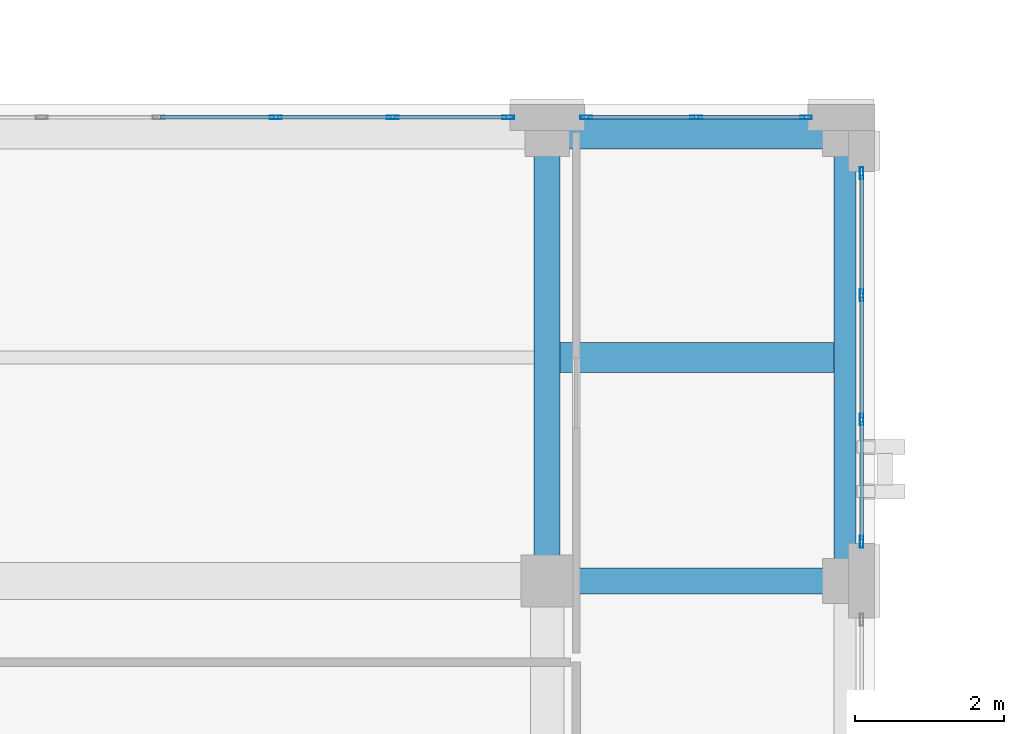
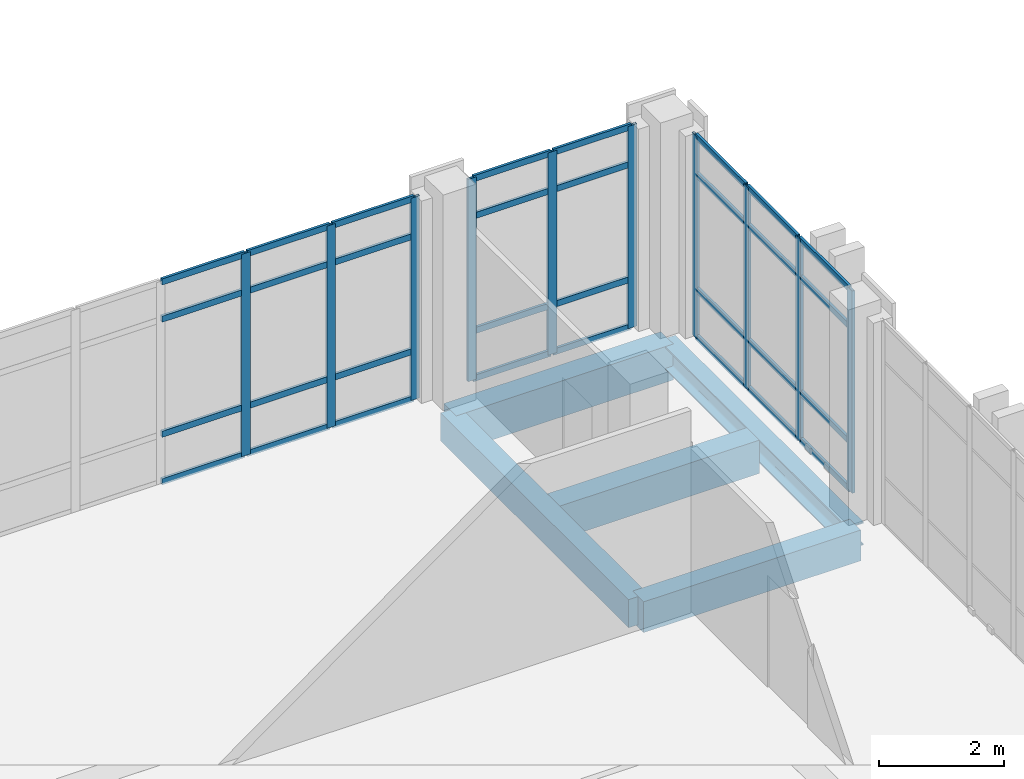
# One storey, part 18 of 48: 42 members, 5 beams, 3 elements without a shape of their own.
"""IFC4 building model written with IfcOpenShell, lengths in metres."""

from ifc_helpers import new_model, si_unit, direction, frame, origin, origin_2d, place, context, subcontext, project, spatial, rectangle, hollow_rectangle, i_section, extrude, material, layer, layer_set, material_profile, profile_set, type_object, element, aggregate, save


model = new_model("IFC4")

# Units and contexts
model_context = context("Model", 3, precision=1e-05, world=origin(), true_north=direction((0.0, 1.0)))
body_context = subcontext(model_context, "Body", "Model", "MODEL_VIEW")
ifc_project = project(units=[si_unit("LENGTHUNIT", "METRE"), si_unit("AREAUNIT", "SQUARE_METRE"), si_unit("VOLUMEUNIT", "CUBIC_METRE"), si_unit("PLANEANGLEUNIT", "RADIAN"), si_unit("MASSUNIT", "GRAM", prefix="KILO")], contexts=[model_context])

# Site, building, storey
site_placement = place(None, origin())
site = spatial("IfcSite", under=ifc_project, at=site_placement, CompositionType="ELEMENT")
building_placement = place(site_placement, origin())
building = spatial("IfcBuilding", under=site, at=building_placement, Name="Qalavern Law Courts", CompositionType="ELEMENT")
storey_placement = place(building_placement, frame((0.0, 0.0, 31.199951171875)))
storey = spatial("IfcBuildingStorey", under=building, at=storey_placement, Name="L07", CompositionType="ELEMENT", Elevation=31.199951171875)

# Curtain wall, members
ifc_material_1 = material(Name="Anodised aluminium and insulated glazing", Category="aluminium")
ifc_layer = layer(ifc_material_1, 0.159912109375)
ifc_layer_set = layer_set([ifc_layer], Name="Anodised aluminium and insulated glazing")
curtain_wall_type = type_object("IfcCurtainWallType", Name="ENV-CW-CHAMB", PredefinedType="USERDEFINED", material=ifc_layer_set)
curtain_wall_1_placement = place(storey_placement, origin())
curtain_wall_1 = element("IfcCurtainWall", 1, at=curtain_wall_1_placement, inside=storey, type_object=curtain_wall_type, Name="V3 unitised curtain wall L07 east 5", ObjectType="UNITISED CURTAIN WALL", PredefinedType="USERDEFINED")
ifc_material_2 = material(Name="Anodised aluminium", Category="aluminium")
ifc_material_profile_1 = material_profile(ifc_material_2, hollow_rectangle(XDim=0.048095703125, YDim=0.159912109375, WallThickness=0.00390625, at=origin_2d()), Name="ALU MULLION 48x160")
ifc_profile_set_1 = profile_set([ifc_material_profile_1], Name="Anodised aluminium")
member_type_1 = type_object("IfcMemberType", Name="ENV-CWM-48x160", PredefinedType="MULLION", material=ifc_profile_set_1)
member_1_placement = place(storey_placement, frame((18.62255859375, 73.924072265625, 0.0), z_axis=(0.0, 0.0, 1.0), x_axis=(-1.0, 0.0, 0.0)))
member_1 = element("IfcMember", 2, at=member_1_placement, type_object=member_type_1, Name="CW-04 mullion 1", PredefinedType="MULLION", context=body_context, shape_type="SweptSolid", body=[
    extrude(hollow_rectangle(XDim=0.048095703125, YDim=0.159912109375, WallThickness=0.00390625, at=origin_2d()), origin(), (0.0, 0.0, 1.0), 3.93994140625),
])
member_2_placement = place(storey_placement, frame((18.62255859375, 75.566650390625, 0.0), z_axis=(0.0, 0.0, 1.0), x_axis=(-1.0, 0.0, 0.0)))
member_2 = element("IfcMember", 3, at=member_2_placement, type_object=member_type_1, Name="CW-04 mullion 2", PredefinedType="MULLION", context=body_context, shape_type="SweptSolid", body=[
    extrude(hollow_rectangle(XDim=0.048095703125, YDim=0.159912109375, WallThickness=0.00390625, at=origin_2d()), origin(), (0.0, 0.0, 1.0), 3.93994140625),
])
member_3_placement = place(storey_placement, frame((18.62255859375, 77.2333984375, 0.0), z_axis=(0.0, 0.0, 1.0), x_axis=(-1.0, 0.0, 0.0)))
member_3 = element("IfcMember", 4, at=member_3_placement, type_object=member_type_1, Name="CW-04 mullion 3", PredefinedType="MULLION", context=body_context, shape_type="SweptSolid", body=[
    extrude(hollow_rectangle(XDim=0.048095703125, YDim=0.159912109375, WallThickness=0.00390625, at=origin_2d()), origin(), (0.0, 0.0, 1.0), 3.93994140625),
])
member_4_placement = place(storey_placement, frame((18.62255859375, 78.8759765625, 0.0), z_axis=(0.0, 0.0, 1.0), x_axis=(-1.0, 0.0, 0.0)))
member_4 = element("IfcMember", 5, at=member_4_placement, type_object=member_type_1, Name="CW-04 mullion 4", PredefinedType="MULLION", context=body_context, shape_type="SweptSolid", body=[
    extrude(hollow_rectangle(XDim=0.048095703125, YDim=0.159912109375, WallThickness=0.00390625, at=origin_2d()), origin(), (0.0, 0.0, 1.0), 3.93994140625),
])

curtain_wall_2_placement = place(storey_placement, origin())
curtain_wall_2 = element("IfcCurtainWall", 6, at=curtain_wall_2_placement, inside=storey, type_object=curtain_wall_type, Name="V3 unitised curtain wall L07 north 1", ObjectType="UNITISED CURTAIN WALL", PredefinedType="USERDEFINED")
member_5_placement = place(storey_placement, frame((17.8759765625, 79.62255859375, 0.0), z_axis=(0.0, 0.0, 1.0), x_axis=(0.0, -1.0, 0.0)))
member_5 = element("IfcMember", 7, at=member_5_placement, type_object=member_type_1, Name="CW-04 mullion 1", PredefinedType="MULLION", context=body_context, shape_type="SweptSolid", body=[
    extrude(hollow_rectangle(XDim=0.048095703125, YDim=0.159912109375, WallThickness=0.00390625, at=origin_2d()), origin(), (0.0, 0.0, 1.0), 3.93994140625),
])
member_6_placement = place(storey_placement, frame((16.39990234375, 79.62255859375, 0.0), z_axis=(0.0, 0.0, 1.0), x_axis=(0.0, -1.0, 0.0)))
member_6 = element("IfcMember", 8, at=member_6_placement, type_object=member_type_1, Name="CW-04 mullion 2", PredefinedType="MULLION", context=body_context, shape_type="SweptSolid", body=[
    extrude(hollow_rectangle(XDim=0.048095703125, YDim=0.159912109375, WallThickness=0.00390625, at=origin_2d()), origin(), (0.0, 0.0, 1.0), 3.93994140625),
])
member_7_placement = place(storey_placement, frame((14.924072265625, 79.62255859375, 0.0), z_axis=(0.0, 0.0, 1.0), x_axis=(0.0, -1.0, 0.0)))
member_7 = element("IfcMember", 9, at=member_7_placement, type_object=member_type_1, Name="CW-04 mullion 3", PredefinedType="MULLION", context=body_context, shape_type="SweptSolid", body=[
    extrude(hollow_rectangle(XDim=0.048095703125, YDim=0.159912109375, WallThickness=0.00390625, at=origin_2d()), origin(), (0.0, 0.0, 1.0), 3.93994140625),
])

curtain_wall_3_placement = place(storey_placement, origin())
curtain_wall_3 = element("IfcCurtainWall", 10, at=curtain_wall_3_placement, inside=storey, type_object=curtain_wall_type, Name="V3 unitised curtain wall L07 north 2", ObjectType="UNITISED CURTAIN WALL", PredefinedType="USERDEFINED")
member_8_placement = place(storey_placement, frame((13.8759765625, 79.62255859375, 0.0), z_axis=(0.0, 0.0, 1.0), x_axis=(0.0, -1.0, 0.0)))
member_8 = element("IfcMember", 11, at=member_8_placement, type_object=member_type_1, Name="CW-04 mullion 1", PredefinedType="MULLION", context=body_context, shape_type="SweptSolid", body=[
    extrude(hollow_rectangle(XDim=0.048095703125, YDim=0.159912109375, WallThickness=0.00390625, at=origin_2d()), origin(), (0.0, 0.0, 1.0), 3.93994140625),
])
member_9_placement = place(storey_placement, frame((12.32861328125, 79.62255859375, 0.0), z_axis=(0.0, 0.0, 1.0), x_axis=(0.0, -1.0, 0.0)))
member_9 = element("IfcMember", 12, at=member_9_placement, type_object=member_type_1, Name="CW-04 mullion 2", PredefinedType="MULLION", context=body_context, shape_type="SweptSolid", body=[
    extrude(hollow_rectangle(XDim=0.048095703125, YDim=0.159912109375, WallThickness=0.00390625, at=origin_2d()), origin(), (0.0, 0.0, 1.0), 3.93994140625),
])
member_10_placement = place(storey_placement, frame((10.757080078125, 79.62255859375, 0.0), z_axis=(0.0, 0.0, 1.0), x_axis=(0.0, -1.0, 0.0)))
member_10 = element("IfcMember", 13, at=member_10_placement, type_object=member_type_1, Name="CW-04 mullion 3", PredefinedType="MULLION", context=body_context, shape_type="SweptSolid", body=[
    extrude(hollow_rectangle(XDim=0.048095703125, YDim=0.159912109375, WallThickness=0.00390625, at=origin_2d()), origin(), (0.0, 0.0, 1.0), 3.93994140625),
])

# Member
ifc_material_profile_2 = material_profile(ifc_material_2, hollow_rectangle(XDim=0.048095703125, YDim=0.1201171875, WallThickness=0.00390625, at=origin_2d()), Name="ALU TRANSOM 48x120")
ifc_profile_set_2 = profile_set([ifc_material_profile_2], Name="Anodised aluminium")
member_type_2 = type_object("IfcMemberType", Name="ENV-CWT-48x120", PredefinedType="USERDEFINED", material=ifc_profile_set_2)
member_11_placement = place(storey_placement, frame((18.62255859375, 73.947998046875, 0.024169921875), z_axis=(0.0, 1.0, 0.0), x_axis=(-1.0, 0.0, 0.0)))
member_11 = element("IfcMember", 14, at=member_11_placement, type_object=member_type_2, Name="CW-04 transom 1.1", ObjectType="TRANSOM", PredefinedType="USERDEFINED", context=body_context, shape_type="SweptSolid", body=[
    extrude(hollow_rectangle(XDim=0.048095703125, YDim=0.1201171875, WallThickness=0.00390625, at=origin_2d()), origin(), (0.0, 0.0, 1.0), 1.5947265625),
])

member_12_placement = place(storey_placement, frame((18.62255859375, 73.947998046875, 0.949951171875), z_axis=(0.0, 1.0, 0.0), x_axis=(-1.0, 0.0, 0.0)))
member_12 = element("IfcMember", 15, at=member_12_placement, type_object=member_type_2, Name="CW-04 transom 1.2", ObjectType="TRANSOM", PredefinedType="USERDEFINED", context=body_context, shape_type="SweptSolid", body=[
    extrude(hollow_rectangle(XDim=0.048095703125, YDim=0.1201171875, WallThickness=0.00390625, at=origin_2d()), origin(), (0.0, 0.0, 1.0), 1.5947265625),
])

member_13_placement = place(storey_placement, frame((18.62255859375, 73.947998046875, 3.18994140625), z_axis=(0.0, 1.0, 0.0), x_axis=(-1.0, 0.0, 0.0)))
member_13 = element("IfcMember", 16, at=member_13_placement, type_object=member_type_2, Name="CW-04 transom 1.3", ObjectType="TRANSOM", PredefinedType="USERDEFINED", context=body_context, shape_type="SweptSolid", body=[
    extrude(hollow_rectangle(XDim=0.048095703125, YDim=0.1201171875, WallThickness=0.00390625, at=origin_2d()), origin(), (0.0, 0.0, 1.0), 1.5947265625),
])

member_14_placement = place(storey_placement, frame((18.62255859375, 73.947998046875, 3.916015625), z_axis=(0.0, 1.0, 0.0), x_axis=(-1.0, 0.0, 0.0)))
member_14 = element("IfcMember", 17, at=member_14_placement, type_object=member_type_2, Name="CW-04 transom 1.4", ObjectType="TRANSOM", PredefinedType="USERDEFINED", context=body_context, shape_type="SweptSolid", body=[
    extrude(hollow_rectangle(XDim=0.048095703125, YDim=0.1201171875, WallThickness=0.00390625, at=origin_2d()), origin(), (0.0, 0.0, 1.0), 1.5947265625),
])

member_15_placement = place(storey_placement, frame((18.62255859375, 75.590576171875, 0.024169921875), z_axis=(0.0, 1.0, 0.0), x_axis=(-1.0, 0.0, 0.0)))
member_15 = element("IfcMember", 18, at=member_15_placement, type_object=member_type_2, Name="CW-04 transom 2.1", ObjectType="TRANSOM", PredefinedType="USERDEFINED", context=body_context, shape_type="SweptSolid", body=[
    extrude(hollow_rectangle(XDim=0.048095703125, YDim=0.1201171875, WallThickness=0.00390625, at=origin_2d()), origin(), (0.0, 0.0, 1.0), 1.61865234375),
])

member_16_placement = place(storey_placement, frame((18.62255859375, 75.590576171875, 0.949951171875), z_axis=(0.0, 1.0, 0.0), x_axis=(-1.0, 0.0, 0.0)))
member_16 = element("IfcMember", 19, at=member_16_placement, type_object=member_type_2, Name="CW-04 transom 2.2", ObjectType="TRANSOM", PredefinedType="USERDEFINED", context=body_context, shape_type="SweptSolid", body=[
    extrude(hollow_rectangle(XDim=0.048095703125, YDim=0.1201171875, WallThickness=0.00390625, at=origin_2d()), origin(), (0.0, 0.0, 1.0), 1.61865234375),
])

member_17_placement = place(storey_placement, frame((18.62255859375, 75.590576171875, 3.18994140625), z_axis=(0.0, 1.0, 0.0), x_axis=(-1.0, 0.0, 0.0)))
member_17 = element("IfcMember", 20, at=member_17_placement, type_object=member_type_2, Name="CW-04 transom 2.3", ObjectType="TRANSOM", PredefinedType="USERDEFINED", context=body_context, shape_type="SweptSolid", body=[
    extrude(hollow_rectangle(XDim=0.048095703125, YDim=0.1201171875, WallThickness=0.00390625, at=origin_2d()), origin(), (0.0, 0.0, 1.0), 1.61865234375),
])

member_18_placement = place(storey_placement, frame((18.62255859375, 75.590576171875, 3.916015625), z_axis=(0.0, 1.0, 0.0), x_axis=(-1.0, 0.0, 0.0)))
member_18 = element("IfcMember", 21, at=member_18_placement, type_object=member_type_2, Name="CW-04 transom 2.4", ObjectType="TRANSOM", PredefinedType="USERDEFINED", context=body_context, shape_type="SweptSolid", body=[
    extrude(hollow_rectangle(XDim=0.048095703125, YDim=0.1201171875, WallThickness=0.00390625, at=origin_2d()), origin(), (0.0, 0.0, 1.0), 1.61865234375),
])

member_19_placement = place(storey_placement, frame((18.62255859375, 77.25732421875, 0.024169921875), z_axis=(0.0, 1.0, 0.0), x_axis=(-1.0, 0.0, 0.0)))
member_19 = element("IfcMember", 22, at=member_19_placement, type_object=member_type_2, Name="CW-04 transom 3.1", ObjectType="TRANSOM", PredefinedType="USERDEFINED", context=body_context, shape_type="SweptSolid", body=[
    extrude(hollow_rectangle(XDim=0.048095703125, YDim=0.1201171875, WallThickness=0.00390625, at=origin_2d()), origin(), (0.0, 0.0, 1.0), 1.5947265625),
])

member_20_placement = place(storey_placement, frame((18.62255859375, 77.25732421875, 0.949951171875), z_axis=(0.0, 1.0, 0.0), x_axis=(-1.0, 0.0, 0.0)))
member_20 = element("IfcMember", 23, at=member_20_placement, type_object=member_type_2, Name="CW-04 transom 3.2", ObjectType="TRANSOM", PredefinedType="USERDEFINED", context=body_context, shape_type="SweptSolid", body=[
    extrude(hollow_rectangle(XDim=0.048095703125, YDim=0.1201171875, WallThickness=0.00390625, at=origin_2d()), origin(), (0.0, 0.0, 1.0), 1.5947265625),
])

member_21_placement = place(storey_placement, frame((18.62255859375, 77.25732421875, 3.18994140625), z_axis=(0.0, 1.0, 0.0), x_axis=(-1.0, 0.0, 0.0)))
member_21 = element("IfcMember", 24, at=member_21_placement, type_object=member_type_2, Name="CW-04 transom 3.3", ObjectType="TRANSOM", PredefinedType="USERDEFINED", context=body_context, shape_type="SweptSolid", body=[
    extrude(hollow_rectangle(XDim=0.048095703125, YDim=0.1201171875, WallThickness=0.00390625, at=origin_2d()), origin(), (0.0, 0.0, 1.0), 1.5947265625),
])

member_22_placement = place(storey_placement, frame((18.62255859375, 77.25732421875, 3.916015625), z_axis=(0.0, 1.0, 0.0), x_axis=(-1.0, 0.0, 0.0)))
member_22 = element("IfcMember", 25, at=member_22_placement, type_object=member_type_2, Name="CW-04 transom 3.4", ObjectType="TRANSOM", PredefinedType="USERDEFINED", context=body_context, shape_type="SweptSolid", body=[
    extrude(hollow_rectangle(XDim=0.048095703125, YDim=0.1201171875, WallThickness=0.00390625, at=origin_2d()), origin(), (0.0, 0.0, 1.0), 1.5947265625),
])

aggregate(curtain_wall_1, [member_1, member_2, member_3, member_4, member_11, member_12, member_13, member_14, member_15, member_16, member_17, member_18, member_19, member_20, member_21, member_22])

member_23_placement = place(storey_placement, frame((17.85205078125, 79.62255859375, 0.024169921875), z_axis=(-1.0, 0.0, 0.0), x_axis=(0.0, -1.0, 0.0)))
member_23 = element("IfcMember", 26, at=member_23_placement, type_object=member_type_2, Name="CW-04 transom 1.1", ObjectType="TRANSOM", PredefinedType="USERDEFINED", context=body_context, shape_type="SweptSolid", body=[
    extrude(hollow_rectangle(XDim=0.048095703125, YDim=0.1201171875, WallThickness=0.00390625, at=origin_2d()), origin(), (0.0, 0.0, 1.0), 1.427978515625),
])

member_24_placement = place(storey_placement, frame((17.85205078125, 79.62255859375, 0.949951171875), z_axis=(-1.0, 0.0, 0.0), x_axis=(0.0, -1.0, 0.0)))
member_24 = element("IfcMember", 27, at=member_24_placement, type_object=member_type_2, Name="CW-04 transom 1.2", ObjectType="TRANSOM", PredefinedType="USERDEFINED", context=body_context, shape_type="SweptSolid", body=[
    extrude(hollow_rectangle(XDim=0.048095703125, YDim=0.1201171875, WallThickness=0.00390625, at=origin_2d()), origin(), (0.0, 0.0, 1.0), 1.427978515625),
])

member_25_placement = place(storey_placement, frame((17.85205078125, 79.62255859375, 3.18994140625), z_axis=(-1.0, 0.0, 0.0), x_axis=(0.0, -1.0, 0.0)))
member_25 = element("IfcMember", 28, at=member_25_placement, type_object=member_type_2, Name="CW-04 transom 1.3", ObjectType="TRANSOM", PredefinedType="USERDEFINED", context=body_context, shape_type="SweptSolid", body=[
    extrude(hollow_rectangle(XDim=0.048095703125, YDim=0.1201171875, WallThickness=0.00390625, at=origin_2d()), origin(), (0.0, 0.0, 1.0), 1.427978515625),
])

member_26_placement = place(storey_placement, frame((17.85205078125, 79.62255859375, 3.916015625), z_axis=(-1.0, 0.0, 0.0), x_axis=(0.0, -1.0, 0.0)))
member_26 = element("IfcMember", 29, at=member_26_placement, type_object=member_type_2, Name="CW-04 transom 1.4", ObjectType="TRANSOM", PredefinedType="USERDEFINED", context=body_context, shape_type="SweptSolid", body=[
    extrude(hollow_rectangle(XDim=0.048095703125, YDim=0.1201171875, WallThickness=0.00390625, at=origin_2d()), origin(), (0.0, 0.0, 1.0), 1.427978515625),
])

member_27_placement = place(storey_placement, frame((16.3759765625, 79.62255859375, 0.024169921875), z_axis=(-1.0, 0.0, 0.0), x_axis=(0.0, -1.0, 0.0)))
member_27 = element("IfcMember", 30, at=member_27_placement, type_object=member_type_2, Name="CW-04 transom 2.1", ObjectType="TRANSOM", PredefinedType="USERDEFINED", context=body_context, shape_type="SweptSolid", body=[
    extrude(hollow_rectangle(XDim=0.048095703125, YDim=0.1201171875, WallThickness=0.00390625, at=origin_2d()), origin(), (0.0, 0.0, 1.0), 1.427978515625),
])

member_28_placement = place(storey_placement, frame((16.3759765625, 79.62255859375, 0.949951171875), z_axis=(-1.0, 0.0, 0.0), x_axis=(0.0, -1.0, 0.0)))
member_28 = element("IfcMember", 31, at=member_28_placement, type_object=member_type_2, Name="CW-04 transom 2.2", ObjectType="TRANSOM", PredefinedType="USERDEFINED", context=body_context, shape_type="SweptSolid", body=[
    extrude(hollow_rectangle(XDim=0.048095703125, YDim=0.1201171875, WallThickness=0.00390625, at=origin_2d()), origin(), (0.0, 0.0, 1.0), 1.427978515625),
])

member_29_placement = place(storey_placement, frame((16.3759765625, 79.62255859375, 3.18994140625), z_axis=(-1.0, 0.0, 0.0), x_axis=(0.0, -1.0, 0.0)))
member_29 = element("IfcMember", 32, at=member_29_placement, type_object=member_type_2, Name="CW-04 transom 2.3", ObjectType="TRANSOM", PredefinedType="USERDEFINED", context=body_context, shape_type="SweptSolid", body=[
    extrude(hollow_rectangle(XDim=0.048095703125, YDim=0.1201171875, WallThickness=0.00390625, at=origin_2d()), origin(), (0.0, 0.0, 1.0), 1.427978515625),
])

member_30_placement = place(storey_placement, frame((16.3759765625, 79.62255859375, 3.916015625), z_axis=(-1.0, 0.0, 0.0), x_axis=(0.0, -1.0, 0.0)))
member_30 = element("IfcMember", 33, at=member_30_placement, type_object=member_type_2, Name="CW-04 transom 2.4", ObjectType="TRANSOM", PredefinedType="USERDEFINED", context=body_context, shape_type="SweptSolid", body=[
    extrude(hollow_rectangle(XDim=0.048095703125, YDim=0.1201171875, WallThickness=0.00390625, at=origin_2d()), origin(), (0.0, 0.0, 1.0), 1.427978515625),
])

aggregate(curtain_wall_2, [member_5, member_6, member_7, member_23, member_24, member_25, member_26, member_27, member_28, member_29, member_30])

member_31_placement = place(storey_placement, frame((13.85205078125, 79.62255859375, 0.024169921875), z_axis=(-1.0, 0.0, 0.0), x_axis=(0.0, -1.0, 0.0)))
member_31 = element("IfcMember", 34, at=member_31_placement, type_object=member_type_2, Name="CW-04 transom 1.1", ObjectType="TRANSOM", PredefinedType="USERDEFINED", context=body_context, shape_type="SweptSolid", body=[
    extrude(hollow_rectangle(XDim=0.048095703125, YDim=0.1201171875, WallThickness=0.00390625, at=origin_2d()), origin(), (0.0, 0.0, 1.0), 1.49951171875),
])

member_32_placement = place(storey_placement, frame((13.85205078125, 79.62255859375, 0.949951171875), z_axis=(-1.0, 0.0, 0.0), x_axis=(0.0, -1.0, 0.0)))
member_32 = element("IfcMember", 35, at=member_32_placement, type_object=member_type_2, Name="CW-04 transom 1.2", ObjectType="TRANSOM", PredefinedType="USERDEFINED", context=body_context, shape_type="SweptSolid", body=[
    extrude(hollow_rectangle(XDim=0.048095703125, YDim=0.1201171875, WallThickness=0.00390625, at=origin_2d()), origin(), (0.0, 0.0, 1.0), 1.49951171875),
])

member_33_placement = place(storey_placement, frame((13.85205078125, 79.62255859375, 3.18994140625), z_axis=(-1.0, 0.0, 0.0), x_axis=(0.0, -1.0, 0.0)))
member_33 = element("IfcMember", 36, at=member_33_placement, type_object=member_type_2, Name="CW-04 transom 1.3", ObjectType="TRANSOM", PredefinedType="USERDEFINED", context=body_context, shape_type="SweptSolid", body=[
    extrude(hollow_rectangle(XDim=0.048095703125, YDim=0.1201171875, WallThickness=0.00390625, at=origin_2d()), origin(), (0.0, 0.0, 1.0), 1.49951171875),
])

member_34_placement = place(storey_placement, frame((13.85205078125, 79.62255859375, 3.916015625), z_axis=(-1.0, 0.0, 0.0), x_axis=(0.0, -1.0, 0.0)))
member_34 = element("IfcMember", 37, at=member_34_placement, type_object=member_type_2, Name="CW-04 transom 1.4", ObjectType="TRANSOM", PredefinedType="USERDEFINED", context=body_context, shape_type="SweptSolid", body=[
    extrude(hollow_rectangle(XDim=0.048095703125, YDim=0.1201171875, WallThickness=0.00390625, at=origin_2d()), origin(), (0.0, 0.0, 1.0), 1.49951171875),
])

member_35_placement = place(storey_placement, frame((12.3046875, 79.62255859375, 0.024169921875), z_axis=(-1.0, 0.0, 0.0), x_axis=(0.0, -1.0, 0.0)))
member_35 = element("IfcMember", 38, at=member_35_placement, type_object=member_type_2, Name="CW-04 transom 2.1", ObjectType="TRANSOM", PredefinedType="USERDEFINED", context=body_context, shape_type="SweptSolid", body=[
    extrude(hollow_rectangle(XDim=0.048095703125, YDim=0.1201171875, WallThickness=0.00390625, at=origin_2d()), origin(), (0.0, 0.0, 1.0), 1.5234375),
])

member_36_placement = place(storey_placement, frame((12.3046875, 79.62255859375, 0.949951171875), z_axis=(-1.0, 0.0, 0.0), x_axis=(0.0, -1.0, 0.0)))
member_36 = element("IfcMember", 39, at=member_36_placement, type_object=member_type_2, Name="CW-04 transom 2.2", ObjectType="TRANSOM", PredefinedType="USERDEFINED", context=body_context, shape_type="SweptSolid", body=[
    extrude(hollow_rectangle(XDim=0.048095703125, YDim=0.1201171875, WallThickness=0.00390625, at=origin_2d()), origin(), (0.0, 0.0, 1.0), 1.5234375),
])

member_37_placement = place(storey_placement, frame((12.3046875, 79.62255859375, 3.18994140625), z_axis=(-1.0, 0.0, 0.0), x_axis=(0.0, -1.0, 0.0)))
member_37 = element("IfcMember", 40, at=member_37_placement, type_object=member_type_2, Name="CW-04 transom 2.3", ObjectType="TRANSOM", PredefinedType="USERDEFINED", context=body_context, shape_type="SweptSolid", body=[
    extrude(hollow_rectangle(XDim=0.048095703125, YDim=0.1201171875, WallThickness=0.00390625, at=origin_2d()), origin(), (0.0, 0.0, 1.0), 1.5234375),
])

member_38_placement = place(storey_placement, frame((12.3046875, 79.62255859375, 3.916015625), z_axis=(-1.0, 0.0, 0.0), x_axis=(0.0, -1.0, 0.0)))
member_38 = element("IfcMember", 41, at=member_38_placement, type_object=member_type_2, Name="CW-04 transom 2.4", ObjectType="TRANSOM", PredefinedType="USERDEFINED", context=body_context, shape_type="SweptSolid", body=[
    extrude(hollow_rectangle(XDim=0.048095703125, YDim=0.1201171875, WallThickness=0.00390625, at=origin_2d()), origin(), (0.0, 0.0, 1.0), 1.5234375),
])

member_39_placement = place(storey_placement, frame((10.733154296875, 79.62255859375, 0.024169921875), z_axis=(-1.0, 0.0, 0.0), x_axis=(0.0, -1.0, 0.0)))
member_39 = element("IfcMember", 42, at=member_39_placement, type_object=member_type_2, Name="CW-04 transom 3.1", ObjectType="TRANSOM", PredefinedType="USERDEFINED", context=body_context, shape_type="SweptSolid", body=[
    extrude(hollow_rectangle(XDim=0.048095703125, YDim=0.1201171875, WallThickness=0.00390625, at=origin_2d()), origin(), (0.0, 0.0, 1.0), 1.5234375),
])

member_40_placement = place(storey_placement, frame((10.733154296875, 79.62255859375, 0.949951171875), z_axis=(-1.0, 0.0, 0.0), x_axis=(0.0, -1.0, 0.0)))
member_40 = element("IfcMember", 43, at=member_40_placement, type_object=member_type_2, Name="CW-04 transom 3.2", ObjectType="TRANSOM", PredefinedType="USERDEFINED", context=body_context, shape_type="SweptSolid", body=[
    extrude(hollow_rectangle(XDim=0.048095703125, YDim=0.1201171875, WallThickness=0.00390625, at=origin_2d()), origin(), (0.0, 0.0, 1.0), 1.5234375),
])

member_41_placement = place(storey_placement, frame((10.733154296875, 79.62255859375, 3.18994140625), z_axis=(-1.0, 0.0, 0.0), x_axis=(0.0, -1.0, 0.0)))
member_41 = element("IfcMember", 44, at=member_41_placement, type_object=member_type_2, Name="CW-04 transom 3.3", ObjectType="TRANSOM", PredefinedType="USERDEFINED", context=body_context, shape_type="SweptSolid", body=[
    extrude(hollow_rectangle(XDim=0.048095703125, YDim=0.1201171875, WallThickness=0.00390625, at=origin_2d()), origin(), (0.0, 0.0, 1.0), 1.5234375),
])

member_42_placement = place(storey_placement, frame((10.733154296875, 79.62255859375, 3.916015625), z_axis=(-1.0, 0.0, 0.0), x_axis=(0.0, -1.0, 0.0)))
member_42 = element("IfcMember", 45, at=member_42_placement, type_object=member_type_2, Name="CW-04 transom 3.4", ObjectType="TRANSOM", PredefinedType="USERDEFINED", context=body_context, shape_type="SweptSolid", body=[
    extrude(hollow_rectangle(XDim=0.048095703125, YDim=0.1201171875, WallThickness=0.00390625, at=origin_2d()), origin(), (0.0, 0.0, 1.0), 1.5234375),
])

aggregate(curtain_wall_3, [member_8, member_9, member_10, member_31, member_32, member_33, member_34, member_35, member_36, member_37, member_38, member_39, member_40, member_41, member_42])

# Beams
ifc_material_3 = material(Name="Concrete C35/45", Category="concrete")
ifc_material_profile_3 = material_profile(ifc_material_3, rectangle(XDim=0.35009765625, YDim=0.550048828125, at=origin_2d()), Name="RC 350x550")
ifc_profile_set_3 = profile_set([ifc_material_profile_3], Name="Concrete C35/45")
beam_type_1 = type_object("IfcBeamType", Name="STR-BM-RC350x550", PredefinedType="BEAM", material=ifc_profile_set_3)
beam_1_placement = place(storey_placement, frame((14.39990234375, 73.39990234375, -0.5400390625), z_axis=(0.0, 1.0, 0.0), x_axis=(-1.0, 0.0, 0.0)))
element("IfcBeam", 46, at=beam_1_placement, inside=storey, type_object=beam_type_1, Name="V3 Y-beam 2-5 L07", PredefinedType="BEAM", context=body_context, shape_type="SweptSolid", body=[
    extrude(rectangle(XDim=0.35009765625, YDim=0.550048828125, at=origin_2d()), origin(), (0.0, 0.0, 1.0), 6.0),
])
ifc_material_profile_4 = material_profile(ifc_material_3, rectangle(XDim=0.35009765625, YDim=0.60009765625, at=origin_2d()), Name="RC 350x600")
ifc_profile_set_4 = profile_set([ifc_material_profile_4], Name="Concrete C35/45")
beam_type_2 = type_object("IfcBeamType", Name="STR-BM-RC350x600", PredefinedType="BEAM", material=ifc_profile_set_4)
beam_2_placement = place(storey_placement, frame((14.39990234375, 73.39990234375, -0.56494140625), z_axis=(1.0, 0.0, 0.0), x_axis=(0.0, 1.0, 0.0)))
element("IfcBeam", 47, at=beam_2_placement, inside=storey, type_object=beam_type_2, Name="V3 X-beam 5-2 L07", PredefinedType="BEAM", context=body_context, shape_type="SweptSolid", body=[
    extrude(rectangle(XDim=0.35009765625, YDim=0.60009765625, at=origin_2d()), origin(), (0.0, 0.0, 1.0), 4.0),
])
ifc_material_profile_5 = material_profile(ifc_material_3, rectangle(XDim=0.39990234375, YDim=0.64990234375, at=origin_2d()), Name="RC 400x650")
ifc_profile_set_5 = profile_set([ifc_material_profile_5], Name="Concrete C35/45")
beam_type_3 = type_object("IfcBeamType", Name="STR-JST-RC400x650", PredefinedType="JOIST", material=ifc_profile_set_5)
beam_3_placement = place(storey_placement, frame((14.572998046875, 76.39990234375, -0.58984375), z_axis=(1.0, 0.0, 0.0), x_axis=(0.0, 1.0, 0.0)))
element("IfcBeam", 48, at=beam_3_placement, inside=storey, type_object=beam_type_3, Name="V3 secondary joist 2.5.1 L07", PredefinedType="JOIST", context=body_context, shape_type="SweptSolid", body=[
    extrude(rectangle(XDim=0.39990234375, YDim=0.64990234375, at=origin_2d()), origin(), (0.0, 0.0, 1.0), 3.678955078125),
])
ifc_material_4 = material(Name="Steel S355", Category="steel")
ifc_material_profile_6 = material_profile(ifc_material_4, i_section(OverallWidth=0.300048828125, OverallDepth=0.449951171875, WebThickness=0.013916015625, FlangeThickness=0.02587890625, FilletRadius=0.027099609375, at=origin_2d()), Name="HEB 450")
ifc_profile_set_6 = profile_set([ifc_material_profile_6], Name="Steel S355")
beam_type_4 = type_object("IfcBeamType", Name="STR-SP-HEB450", PredefinedType="SPANDREL", material=ifc_profile_set_6)
beam_4_placement = place(storey_placement, frame((18.39990234375, 73.39990234375, -0.489990234375), z_axis=(0.0, 1.0, 0.0), x_axis=(-1.0, 0.0, 0.0)))
element("IfcBeam", 49, at=beam_4_placement, inside=storey, type_object=beam_type_4, Name="V3 Y-beam 3-5 L07", PredefinedType="SPANDREL", context=body_context, shape_type="SweptSolid", body=[
    extrude(i_section(OverallWidth=0.300048828125, OverallDepth=0.449951171875, WebThickness=0.013916015625, FlangeThickness=0.02587890625, FilletRadius=0.027099609375, at=origin_2d()), origin(), (0.0, 0.0, 1.0), 6.0),
])
ifc_material_5 = material(Name="Concrete C40/50", Category="concrete")
ifc_material_profile_7 = material_profile(ifc_material_5, rectangle(XDim=0.39990234375, YDim=0.699951171875, at=origin_2d()), Name="RC 400x700")
ifc_profile_set_7 = profile_set([ifc_material_profile_7], Name="Concrete C40/50")
beam_type_5 = type_object("IfcBeamType", Name="STR-SP-RC400x700", PredefinedType="SPANDREL", material=ifc_profile_set_7)
beam_5_placement = place(storey_placement, frame((14.39990234375, 79.39990234375, -0.614990234375), z_axis=(1.0, 0.0, 0.0), x_axis=(0.0, 1.0, 0.0)))
element("IfcBeam", 50, at=beam_5_placement, inside=storey, type_object=beam_type_5, Name="V3 X-beam 6-2 L07", PredefinedType="SPANDREL", context=body_context, shape_type="SweptSolid", body=[
    extrude(rectangle(XDim=0.39990234375, YDim=0.699951171875, at=origin_2d()), origin(), (0.0, 0.0, 1.0), 4.0),
])

save(model, "model.ifc")
